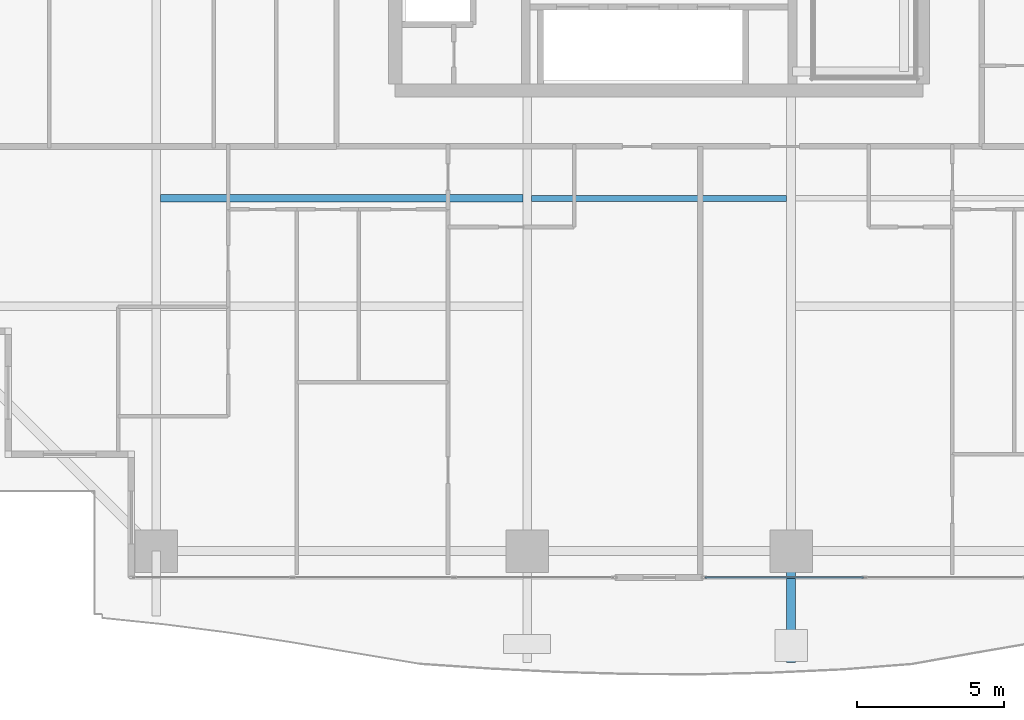
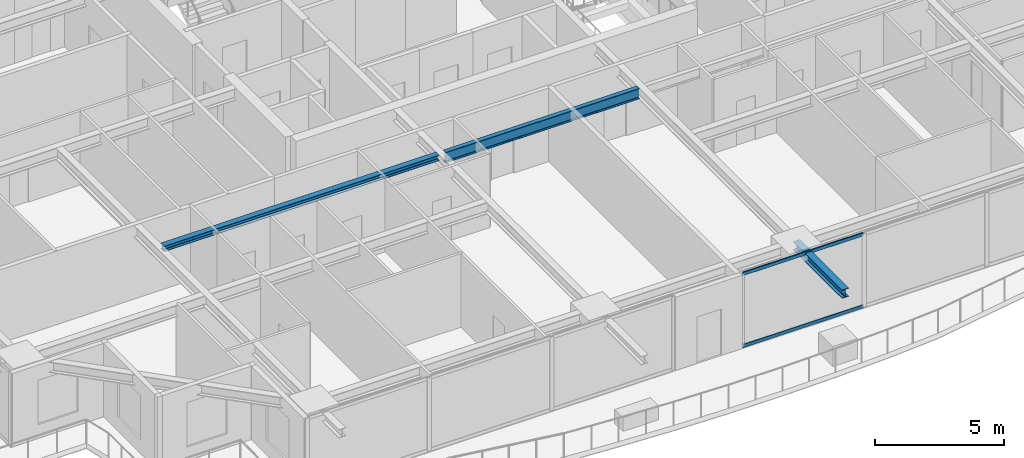
# One storey, part 9 of 39: 3 beams, 2 members, 1 element without a shape of its own.
"""IFC4 building model written with IfcOpenShell, lengths in metres."""

import ifcopenshell
import ifcopenshell.guid

model = None  # the IFC model being written
_history = None  # IfcOwnerHistory: only IFC2X3 demands one
_inside = {}  # id of a spatial element -> (the spatial element, [elements in it])
_under = {}  # id of a project, library or spatial element -> (it, [spatial elements below it])
_declared = {}  # id of a project -> (the project, [libraries it declares])
_typed = {}  # id of a type object -> (the type object, [elements of that type])
_made_of = {}  # id of a material, layer set ... -> (it, [elements and type objects made of it])


def new_model(schema):
    """Start an empty IFC model of exactly this schema.

    Asked for "IFC4X3", IfcOpenShell would pick the latest addendum, in which some entities
    have other attributes; the version numbers below select the first issue.
    IFC2X3 requires an IfcOwnerHistory on every rooted entity: one is made here for all.
    """
    global model, _history
    if schema == "IFC4X3":
        model = ifcopenshell.file(schema_version=(4, 3, 0, 0))
    else:
        model = ifcopenshell.file(schema=schema)
    _inside.clear()
    _under.clear()
    _declared.clear()
    _typed.clear()
    _made_of.clear()
    _history = None
    if model.schema == "IFC2X3":
        org = make("IfcOrganization", Name="unknown")
        user = make(
            "IfcPersonAndOrganization",
            ThePerson=make("IfcPerson", FamilyName="unknown"),
            TheOrganization=org,
        )
        app = make(
            "IfcApplication",
            ApplicationDeveloper=org,
            Version="unknown",
            ApplicationFullName="unknown",
            ApplicationIdentifier="unknown",
        )
        _history = make(
            "IfcOwnerHistory",
            OwningUser=user,
            OwningApplication=app,
            ChangeAction="ADDED",
            CreationDate=0,
        )
    return model


def make(cls, **values):
    """One entity of the class cls with the attributes given. An attribute that is None is left unset."""
    return model.create_entity(
        cls, **{name: value for name, value in values.items() if value is not None}
    )


def rooted(cls, **values):
    """An entity with a GlobalId (a new one), such as an element, a storey or a relation."""
    return make(cls, GlobalId=ifcopenshell.guid.new(), OwnerHistory=_history, **values)


def si_unit(unit_type, name, prefix=None):
    """IfcSIUnit, for example si_unit("LENGTHUNIT", "METRE", prefix="MILLI")."""
    return make("IfcSIUnit", UnitType=unit_type, Prefix=prefix, Name=name)


def assignment(units):
    """IfcUnitAssignment: the units of a project."""
    return None if units is None else make("IfcUnitAssignment", Units=units)


def point(xyz):
    """IfcCartesianPoint."""
    return None if xyz is None else make("IfcCartesianPoint", Coordinates=xyz)


def direction(xyz):
    """IfcDirection."""
    return None if xyz is None else make("IfcDirection", DirectionRatios=xyz)


def frame(location, z_axis=None, x_axis=None):
    """IfcAxis2Placement3D, a coordinate frame: its origin and axes. An axis left out is left unset."""
    return make(
        "IfcAxis2Placement3D",
        Location=point(location),
        Axis=direction(z_axis),
        RefDirection=direction(x_axis),
    )


def frame_2d(location, x_axis=None):
    """IfcAxis2Placement2D, a coordinate frame in the plane: its origin and x axis."""
    return make(
        "IfcAxis2Placement2D", Location=point(location), RefDirection=direction(x_axis)
    )


def origin():
    """The frame at (0, 0, 0) with its axes left unset."""
    return frame((0.0, 0.0, 0.0))


def origin_2d():
    """The frame at (0, 0) in the plane with its x axis left unset."""
    return frame_2d((0.0, 0.0))


def place(relative_to, where):
    """IfcLocalPlacement: puts the frame where relative to a parent placement (None: the world)."""
    return make(
        "IfcLocalPlacement", PlacementRelTo=relative_to, RelativePlacement=where
    )


def context(
    kind, dimensions, precision=None, world=None, true_north=None, identifier=None
):
    """IfcGeometricRepresentationContext, for example the 3D "Model" context."""
    return make(
        "IfcGeometricRepresentationContext",
        ContextIdentifier=identifier,
        ContextType=kind,
        CoordinateSpaceDimension=dimensions,
        Precision=precision,
        WorldCoordinateSystem=world,
        TrueNorth=true_north,
    )


def subcontext(parent, identifier, kind, view, scale=None):
    """IfcGeometricRepresentationSubContext, for example "Body" below "Model"."""
    return make(
        "IfcGeometricRepresentationSubContext",
        ContextIdentifier=identifier,
        ContextType=kind,
        ParentContext=parent,
        TargetScale=scale,
        TargetView=view,
    )


def project(units=None, contexts=None):
    """IfcProject with its units and contexts."""
    return rooted(
        "IfcProject",
        Name="project",
        RepresentationContexts=contexts,
        UnitsInContext=assignment(units),
    )


def spatial(cls, under=None, at=None, **own):
    """A site, building, storey or space (cls), placed at a placement, below another one or the project."""
    s = rooted(cls, ObjectPlacement=at, **own)
    if under is not None:
        _under.setdefault(under.id(), (under, []))[1].append(s)
    return s


def profile(cls, at=None, kind="AREA", **sizes):
    """A parametric profile (cls). Its sizes go by their IFC names, for example OverallWidth=200.0."""
    return make(cls, ProfileType=kind, Position=at, **sizes)


def hollow_rectangle(**sizes):
    """IfcRectangleHollowProfileDef."""
    return profile("IfcRectangleHollowProfileDef", **sizes)


def i_section(**sizes):
    """IfcIShapeProfileDef."""
    return profile("IfcIShapeProfileDef", **sizes)


def extrude(swept, where, along, depth):
    """IfcExtrudedAreaSolid: the profile swept, set in the frame where, extruded along a direction by depth."""
    return make(
        "IfcExtrudedAreaSolid",
        SweptArea=swept,
        Position=where,
        ExtrudedDirection=direction(along),
        Depth=depth,
    )


def shape(context_of_items, identifier, shape_type, items):
    """IfcShapeRepresentation: the items that make up one representation, for example the "Body"."""
    return make(
        "IfcShapeRepresentation",
        ContextOfItems=context_of_items,
        RepresentationIdentifier=identifier,
        RepresentationType=shape_type,
        Items=items,
    )


def source(mapping_origin, context_of_items, identifier, shape_type, items):
    """IfcRepresentationMap: a shape defined once, which mapped items show again and again."""
    return make(
        "IfcRepresentationMap",
        MappingOrigin=mapping_origin,
        MappedRepresentation=shape(context_of_items, identifier, shape_type, items),
    )


def transform(
    local_origin,
    x_axis=None,
    y_axis=None,
    z_axis=None,
    scale=None,
    scale2=None,
    scale3=None,
    uniform=True,
):
    """IfcCartesianTransformationOperator3D, or its non-uniform kind. x_axis, y_axis, z_axis: its Axis1, 2, 3."""
    if uniform:
        return make(
            "IfcCartesianTransformationOperator3D",
            Axis1=direction(x_axis),
            Axis2=direction(y_axis),
            LocalOrigin=point(local_origin),
            Scale=scale,
            Axis3=direction(z_axis),
        )
    return make(
        "IfcCartesianTransformationOperator3DnonUniform",
        Axis1=direction(x_axis),
        Axis2=direction(y_axis),
        LocalOrigin=point(local_origin),
        Scale=scale,
        Axis3=direction(z_axis),
        Scale2=scale2,
        Scale3=scale3,
    )


def mapped(mapping_source, mapping_target):
    """IfcMappedItem: shows the shape of a source again, moved by a transform."""
    return make(
        "IfcMappedItem", MappingSource=mapping_source, MappingTarget=mapping_target
    )


def material(Name=None, Category=None):
    """IfcMaterial."""
    return make("IfcMaterial", Name=Name, Category=Category)


def layer(
    of_material, thickness, ventilated=None, Name=None, Category=None, Priority=None
):
    """IfcMaterialLayer: one layer of a wall or slab, of a material (None: an air gap)."""
    return make(
        "IfcMaterialLayer",
        Material=of_material,
        LayerThickness=thickness,
        IsVentilated=ventilated,
        Name=Name,
        Category=Category,
        Priority=Priority,
    )


def layer_set(layers, Name=None):
    """IfcMaterialLayerSet."""
    return make("IfcMaterialLayerSet", MaterialLayers=layers, LayerSetName=Name)


def material_profile(
    of_material, cross_section, Name=None, Category=None, Priority=None
):
    """IfcMaterialProfile: a cross section and its material."""
    return make(
        "IfcMaterialProfile",
        Name=Name,
        Material=of_material,
        Profile=cross_section,
        Priority=Priority,
        Category=Category,
    )


def profile_set(profiles, Name=None, composite=None):
    """IfcMaterialProfileSet."""
    return make(
        "IfcMaterialProfileSet",
        Name=Name,
        MaterialProfiles=profiles,
        CompositeProfile=composite,
    )


def made_of(thing, what):
    """Note that an element or type object is made of a material, layer set ...; save() writes the relation."""
    if what is not None:
        _made_of.setdefault(what.id(), (what, []))[1].append(thing)
    return thing


def type_object(cls, material=None, **own):
    """A type object (cls), such as IfcWallType, which elements share."""
    return made_of(rooted(cls, **own), material)


def element(
    cls,
    number,
    at=None,
    inside=None,
    cuts=None,
    type_object=None,
    material=None,
    context=None,
    identifier="Body",
    shape_type=None,
    held_by="IfcProductDefinitionShape",
    body=None,
    shapes=None,
    **own,
):
    """One element of the class cls, such as IfcWall. Its Tag is "e" and its number.

    at: its placement. inside: the storey or other place that contains it. cuts: it is an
    opening in that element (IfcRelVoidsElement). A single representation is given by context,
    identifier, shape_type and body (its items); several are given by shapes. held_by: the class
    of the entity that holds the representations. save() writes the other relations.
    """
    e = rooted(cls, Tag="e%d" % number, ObjectPlacement=at, **own)
    if body is not None:
        shapes = [shape(context, identifier, shape_type, body)]
    if shapes is not None:
        e.Representation = make(held_by, Representations=shapes)
    if inside is not None:
        _inside.setdefault(inside.id(), (inside, []))[1].append(e)
    if cuts is not None:
        rooted(
            "IfcRelVoidsElement", RelatingBuildingElement=cuts, RelatedOpeningElement=e
        )
    if type_object is not None:
        _typed.setdefault(type_object.id(), (type_object, []))[1].append(e)
    return made_of(e, material)


def aggregate(whole, parts):
    """IfcRelAggregates: a whole, such as a stair, and the parts it consists of."""
    return rooted("IfcRelAggregates", RelatingObject=whole, RelatedObjects=parts)


def save(model, path):
    """Write the relations noted so far, then the file.

    IfcRelAggregates (storeys below a building ...), IfcRelContainedInSpatialStructure (elements
    in a storey), IfcRelDefinesByType, IfcRelAssociatesMaterial and IfcRelDeclares: one each for
    every whole, place, type object, material and project.
    """
    for whole, parts in _under.values():
        aggregate(whole, parts)
    for where, things in _inside.values():
        rooted(
            "IfcRelContainedInSpatialStructure",
            RelatedElements=things,
            RelatingStructure=where,
        )
    for kind, things in _typed.values():
        rooted("IfcRelDefinesByType", RelatedObjects=things, RelatingType=kind)
    for what, things in _made_of.values():
        rooted("IfcRelAssociatesMaterial", RelatedObjects=things, RelatingMaterial=what)
    for by, libraries in _declared.values():
        rooted("IfcRelDeclares", RelatingContext=by, RelatedDefinitions=libraries)
    model.write(path)


model = new_model("IFC4")

# Units and contexts
model_context = context("Model", 3, precision=1e-05, world=origin(), true_north=direction((0.0, 1.0)))
body_context = subcontext(model_context, "Body", "Model", "MODEL_VIEW")
ifc_project = project(units=[si_unit("LENGTHUNIT", "METRE"), si_unit("AREAUNIT", "SQUARE_METRE"), si_unit("VOLUMEUNIT", "CUBIC_METRE"), si_unit("PLANEANGLEUNIT", "RADIAN"), si_unit("MASSUNIT", "GRAM", prefix="KILO")], contexts=[model_context])

# Site, building, storey
site_placement = place(None, origin())
site = spatial("IfcSite", under=ifc_project, at=site_placement, CompositionType="ELEMENT")
building_placement = place(site_placement, origin())
building = spatial("IfcBuilding", under=site, at=building_placement, Name="Serunith Strait Residences", CompositionType="ELEMENT")
storey_placement = place(building_placement, frame((0.0, 0.0, 60.449951171875)))
storey = spatial("IfcBuildingStorey", under=building, at=storey_placement, Name="L14", CompositionType="ELEMENT", Elevation=60.449951171875)

# Beams
ifc_material_1 = material(Name="Steel S355J2", Category="steel")
ifc_material_profile_1 = material_profile(ifc_material_1, i_section(OverallWidth=0.300048828125, OverallDepth=0.39990234375, WebThickness=0.013427734375, FlangeThickness=0.02392578125, FilletRadius=0.027099609375, at=origin_2d()), Name="HEB 400")
ifc_profile_set_1 = profile_set([ifc_material_profile_1], Name="Steel S355J2")
beam_type_1 = type_object("IfcBeamType", Name="BM-HEB400", PredefinedType="BEAM", material=ifc_profile_set_1)
shared_shape_1 = source(origin(), body_context, "Body", "SweptSolid", [
    extrude(i_section(OverallWidth=0.300048828125, OverallDepth=0.39990234375, WebThickness=0.013427734375, FlangeThickness=0.02392578125, FilletRadius=0.027099609375, at=origin_2d()), origin(), (0.0, 0.0, 1.0), 3.800048828125),
])
beam_1_placement = place(storey_placement, frame((36.89990234375, 1.10009765625, 3.257080078125), z_axis=(0.0, -1.0, 0.0), x_axis=(1.0, 0.0, 0.0)))
element("IfcBeam", 1, at=beam_1_placement, inside=storey, type_object=beam_type_1, Name="L15 Cantilevered Balcony Rib TC-S3", PredefinedType="BEAM", context=body_context, shape_type="MappedRepresentation", body=[
    mapped(shared_shape_1, transform((0.0, 0.0, 0.0), scale=1.0)),
])
ifc_material_profile_2 = material_profile(ifc_material_1, i_section(OverallWidth=0.260009765625, OverallDepth=0.260009765625, WebThickness=0.010009765625, FlangeThickness=0.017578125, FilletRadius=0.02392578125, at=origin_2d()), Name="HEB 260")
ifc_profile_set_2 = profile_set([ifc_material_profile_2], Name="Steel S355J2")
beam_type_2 = type_object("IfcBeamType", Name="BM-HEB260", PredefinedType="JOIST", material=ifc_profile_set_2)
shared_shape_2 = source(origin(), body_context, "Body", "SweptSolid", [
    extrude(i_section(OverallWidth=0.260009765625, OverallDepth=0.260009765625, WebThickness=0.010009765625, FlangeThickness=0.017578125, FilletRadius=0.02392578125, at=origin_2d()), origin(), (0.0, 0.0, 1.0), 12.35009765625),
])
beam_2_placement = place(storey_placement, frame((15.39990234375, 13.125, 3.35693359375), z_axis=(1.0, 0.0, 0.0), x_axis=(0.0, 1.0, 0.0)))
element("IfcBeam", 2, at=beam_2_placement, inside=storey, type_object=beam_type_2, Name="L14 Composite Floor Joist 01", PredefinedType="JOIST", context=body_context, shape_type="MappedRepresentation", body=[
    mapped(shared_shape_2, transform((0.0, 0.0, 0.0), scale=1.0)),
])
ifc_material_profile_3 = material_profile(ifc_material_1, i_section(OverallWidth=0.199951171875, OverallDepth=0.5, WebThickness=0.01025390625, FlangeThickness=0.01611328125, FilletRadius=0.02099609375, at=origin_2d()), Name="IPE 500")
ifc_profile_set_3 = profile_set([ifc_material_profile_3], Name="Steel S355J2")
beam_type_3 = type_object("IfcBeamType", Name="BM-IPE500", PredefinedType="JOIST", material=ifc_profile_set_3)
shared_shape_3 = source(origin(), body_context, "Body", "SweptSolid", [
    extrude(i_section(OverallWidth=0.199951171875, OverallDepth=0.5, WebThickness=0.01025390625, FlangeThickness=0.01611328125, FilletRadius=0.02099609375, at=origin_2d()), origin(), (0.0, 0.0, 1.0), 8.699951171875),
])
beam_3_placement = place(storey_placement, frame((28.050048828125, 13.125, 3.237060546875), z_axis=(1.0, 0.0, 0.0), x_axis=(0.0, 1.0, 0.0)))
element("IfcBeam", 3, at=beam_3_placement, inside=storey, type_object=beam_type_3, Name="L14 Composite Floor Joist 02", PredefinedType="JOIST", context=body_context, shape_type="MappedRepresentation", body=[
    mapped(shared_shape_3, transform((0.0, 0.0, 0.0), scale=1.0)),
])

# Curtain wall, members
ifc_material_2 = material(Name="Pale-Champagne Anodised Aluminium", Category="aluminium")
ifc_layer = layer(ifc_material_2, 0.199951171875, Name="Pale-Champagne Anodised Aluminium")
ifc_layer_set = layer_set([ifc_layer], Name="Pale-Champagne Anodised Aluminium")
curtain_wall_type = type_object("IfcCurtainWallType", Name="CW-SYS1", PredefinedType="NOTDEFINED", material=ifc_layer_set)
curtain_wall_placement = place(storey_placement, origin())
curtain_wall = element("IfcCurtainWall", 4, at=curtain_wall_placement, inside=storey, type_object=curtain_wall_type, Name="L14 S Unitised Fritted Curtain Wall", PredefinedType="NOTDEFINED")
ifc_material_profile_4 = material_profile(ifc_material_2, hollow_rectangle(XDim=0.06005859375, YDim=0.159912109375, WallThickness=0.00341796875, InnerFilletRadius=0.00537109375, OuterFilletRadius=0.0087890625, at=origin_2d()), Name="ALU 160x60x3.5")
ifc_profile_set_4 = profile_set([ifc_material_profile_4], Name="Pale-Champagne Anodised Aluminium")
member_type = type_object("IfcMemberType", Name="CW-SYS1-TRAN", PredefinedType="USERDEFINED", material=ifc_profile_set_4)
shared_shape_4 = source(origin(), body_context, "Body", "SweptSolid", [
    extrude(hollow_rectangle(XDim=0.06005859375, YDim=0.159912109375, WallThickness=0.00341796875, InnerFilletRadius=0.00537109375, OuterFilletRadius=0.0087890625, at=origin_2d()), origin(), (0.0, 0.0, 1.0), 5.39501953125),
])
member_1_placement = place(storey_placement, frame((33.969970703125, 0.199951171875, 0.030029296875), z_axis=(1.0, 0.0, 0.0), x_axis=(0.0, 1.0, 0.0)))
member_1 = element("IfcMember", 5, at=member_1_placement, type_object=member_type, Name="CW-1 transom 1.1", ObjectType="TRANSOM", PredefinedType="USERDEFINED", context=body_context, shape_type="MappedRepresentation", body=[
    mapped(shared_shape_4, transform((0.0, 0.0, 0.0), scale=1.0)),
])
member_2_placement = place(storey_placement, frame((33.969970703125, 0.199951171875, 3.445068359375), z_axis=(1.0, 0.0, 0.0), x_axis=(0.0, 1.0, 0.0)))
member_2 = element("IfcMember", 6, at=member_2_placement, type_object=member_type, Name="CW-1 transom 1.2", ObjectType="TRANSOM", PredefinedType="USERDEFINED", context=body_context, shape_type="MappedRepresentation", body=[
    mapped(shared_shape_4, transform((0.0, 0.0, 0.0), scale=1.0)),
])
aggregate(curtain_wall, [member_1, member_2])

save(model, "model.ifc")
